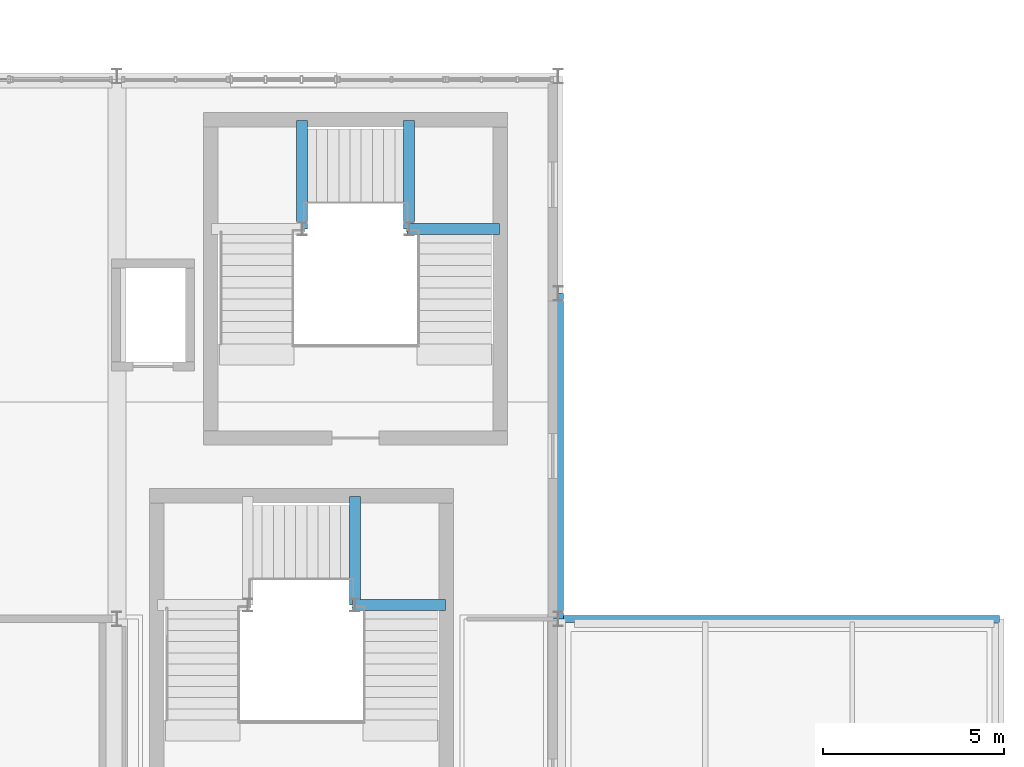
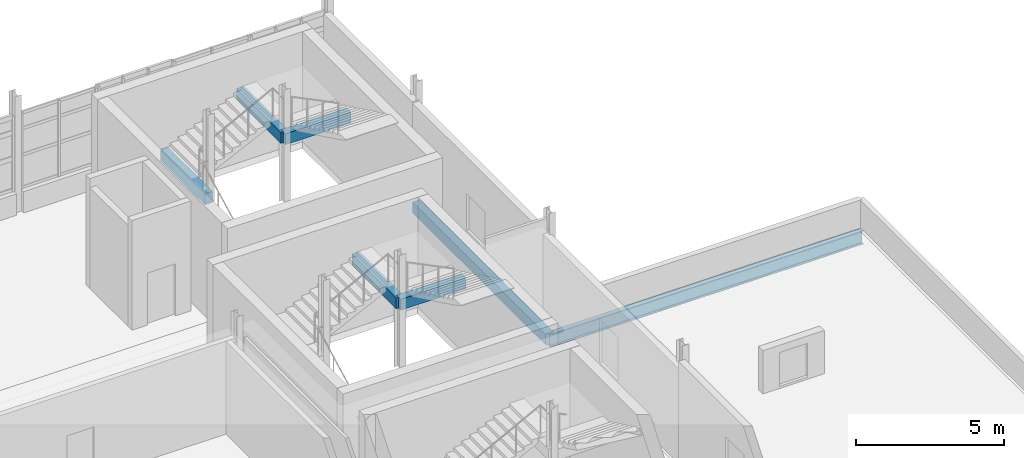
# One storey, part 78 of 127: 7 beams.
"""IFC4 building model written with IfcOpenShell, lengths in metres."""

from ifc_helpers import new_model, si_unit, derived_unit, direction, frame, origin, origin_2d, place, context, subcontext, project, spatial, rectangle, i_section, extrude, material, material_profile, profile_set, type_object, element, save


model = new_model("IFC4")

# Units and contexts
model_context = context("Model", 3, precision=1e-05, world=origin(), true_north=direction((0.0, 1.0)))
body_context = subcontext(model_context, "Body", "Model", "MODEL_VIEW")
ifc_project = project(units=[si_unit("LENGTHUNIT", "METRE"), si_unit("AREAUNIT", "SQUARE_METRE"), si_unit("VOLUMEUNIT", "CUBIC_METRE"), si_unit("PLANEANGLEUNIT", "RADIAN"), si_unit("MASSUNIT", "GRAM", prefix="KILO"), derived_unit("THERMALTRANSMITTANCEUNIT", [(si_unit("POWERUNIT", "WATT"), 1), (si_unit("LENGTHUNIT", "METRE"), -2), (si_unit("THERMODYNAMICTEMPERATUREUNIT", "KELVIN"), -1)])], contexts=[model_context])

# Site, building, storey
site_placement = place(None, origin())
site = spatial("IfcSite", under=ifc_project, at=site_placement, CompositionType="ELEMENT")
building_placement = place(site_placement, origin())
building = spatial("IfcBuilding", under=site, at=building_placement, Name="Nallur Shell Playhouse", CompositionType="ELEMENT")
storey_placement = place(building_placement, frame((0.0, 0.0, 5.39990234375)))
storey = spatial("IfcBuildingStorey", under=building, at=storey_placement, Name="L02", CompositionType="ELEMENT", Elevation=5.39990234375)

# Beams
ifc_material_1 = material(Name="Concrete M35", Category="concrete")
ifc_material_profile_1 = material_profile(ifc_material_1, rectangle(XDim=0.300048828125, YDim=0.449951171875, at=origin_2d()), Name="RC 300x450")
ifc_profile_set_1 = profile_set([ifc_material_profile_1], Name="Concrete M35")
beam_type_1 = type_object("IfcBeamType", Name="BM-SPN-300x450", PredefinedType="SPANDREL", material=ifc_profile_set_1)
beam_1_placement = place(storey_placement, frame((159.800048828125, 41.0, -0.5048828125), z_axis=(0.0, 1.0, 0.0), x_axis=(-1.0, 0.0, 0.0)))
element("IfcBeam", 1, at=beam_1_placement, inside=storey, type_object=beam_type_1, Name="L02 girder Y-19-464", PredefinedType="SPANDREL", context=body_context, shape_type="SweptSolid", body=[
    extrude(rectangle(XDim=0.300048828125, YDim=0.449951171875, at=origin_2d()), origin(), (0.0, 0.0, 1.0), 9.0),
])
beam_2_placement = place(storey_placement, frame((152.719970703125, 51.780029296875, 1.22509765625), z_axis=(0.0, 1.0, 0.0), x_axis=(-1.0, 0.0, 0.0)))
element("IfcBeam", 2, at=beam_2_placement, inside=storey, type_object=beam_type_1, Name="Stair ST-05-L02 L1 east bearer beam", PredefinedType="SPANDREL", context=body_context, shape_type="SweptSolid", body=[
    extrude(rectangle(XDim=0.300048828125, YDim=0.449951171875, at=origin_2d()), origin(), (0.0, 0.0, 1.0), 3.0),
])
beam_3_placement = place(storey_placement, frame((155.6201171875, 51.780029296875, 2.72509765625), z_axis=(1.0, 0.0, 0.0), x_axis=(0.0, 1.0, 0.0)))
element("IfcBeam", 3, at=beam_3_placement, inside=storey, type_object=beam_type_1, Name="Stair ST-05-L02 L2 south bearer beam", PredefinedType="SPANDREL", context=body_context, shape_type="SweptSolid", body=[
    extrude(rectangle(XDim=0.300048828125, YDim=0.449951171875, at=origin_2d()), origin(), (0.0, 0.0, 1.0), 2.559814453125),
])
beam_4_placement = place(storey_placement, frame((155.679931640625, 51.780029296875, 2.72509765625), z_axis=(0.0, 1.0, 0.0), x_axis=(-1.0, 0.0, 0.0)))
element("IfcBeam", 4, at=beam_4_placement, inside=storey, type_object=beam_type_1, Name="Stair ST-05-L02 L2 west bearer beam", PredefinedType="SPANDREL", context=body_context, shape_type="SweptSolid", body=[
    extrude(rectangle(XDim=0.300048828125, YDim=0.449951171875, at=origin_2d()), origin(), (0.0, 0.0, 1.0), 3.0),
])
beam_5_placement = place(storey_placement, frame((154.1201171875, 41.3798828125, 2.72509765625), z_axis=(1.0, 0.0, 0.0), x_axis=(0.0, 1.0, 0.0)))
element("IfcBeam", 5, at=beam_5_placement, inside=storey, type_object=beam_type_1, Name="Stair ST-09-L02 L2 south bearer beam", PredefinedType="SPANDREL", context=body_context, shape_type="SweptSolid", body=[
    extrude(rectangle(XDim=0.300048828125, YDim=0.449951171875, at=origin_2d()), origin(), (0.0, 0.0, 1.0), 2.559814453125),
])
beam_6_placement = place(storey_placement, frame((154.179931640625, 41.3798828125, 2.72509765625), z_axis=(0.0, 1.0, 0.0), x_axis=(-1.0, 0.0, 0.0)))
element("IfcBeam", 6, at=beam_6_placement, inside=storey, type_object=beam_type_1, Name="Stair ST-09-L02 L2 west bearer beam", PredefinedType="SPANDREL", context=body_context, shape_type="SweptSolid", body=[
    extrude(rectangle(XDim=0.300048828125, YDim=0.449951171875, at=origin_2d()), origin(), (0.0, 0.0, 1.0), 3.0),
])
ifc_material_2 = material(Name="Steel E350", Category="steel")
ifc_material_profile_2 = material_profile(ifc_material_2, i_section(OverallWidth=0.18994140625, OverallDepth=0.550048828125, WebThickness=0.01123046875, FlangeThickness=0.019287109375, FilletRadius=0.01806640625, at=origin_2d()), Name="ISMB 550")
ifc_profile_set_2 = profile_set([ifc_material_profile_2], Name="Steel E350")
beam_type_2 = type_object("IfcBeamType", Name="BM-ST-ISMB550", PredefinedType="BEAM", material=ifc_profile_set_2)
beam_7_placement = place(storey_placement, frame((159.800048828125, 41.0, -0.554931640625), z_axis=(1.0, 0.0, 0.0), x_axis=(0.0, 1.0, 0.0)))
element("IfcBeam", 7, at=beam_7_placement, inside=storey, type_object=beam_type_2, Name="L02 girder X-E-345", PredefinedType="BEAM", context=body_context, shape_type="SweptSolid", body=[
    extrude(i_section(OverallWidth=0.18994140625, OverallDepth=0.550048828125, WebThickness=0.01123046875, FlangeThickness=0.019287109375, FilletRadius=0.01806640625, at=origin_2d()), origin(), (0.0, 0.0, 1.0), 12.199951171875),
])

save(model, "model.ifc")
